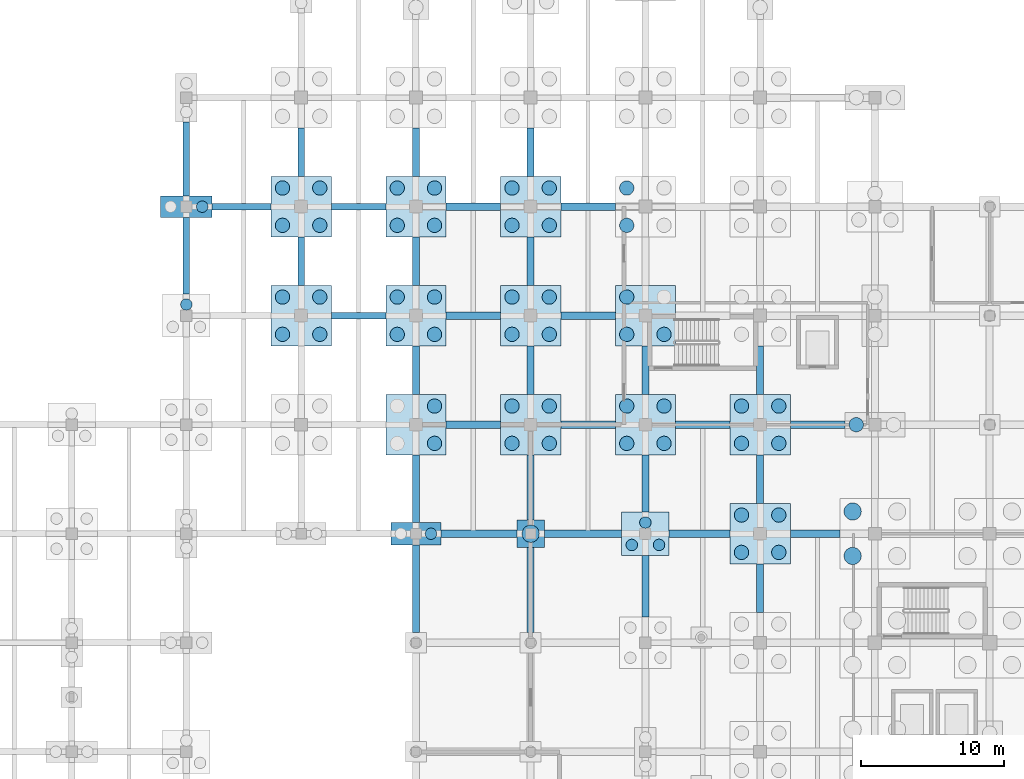
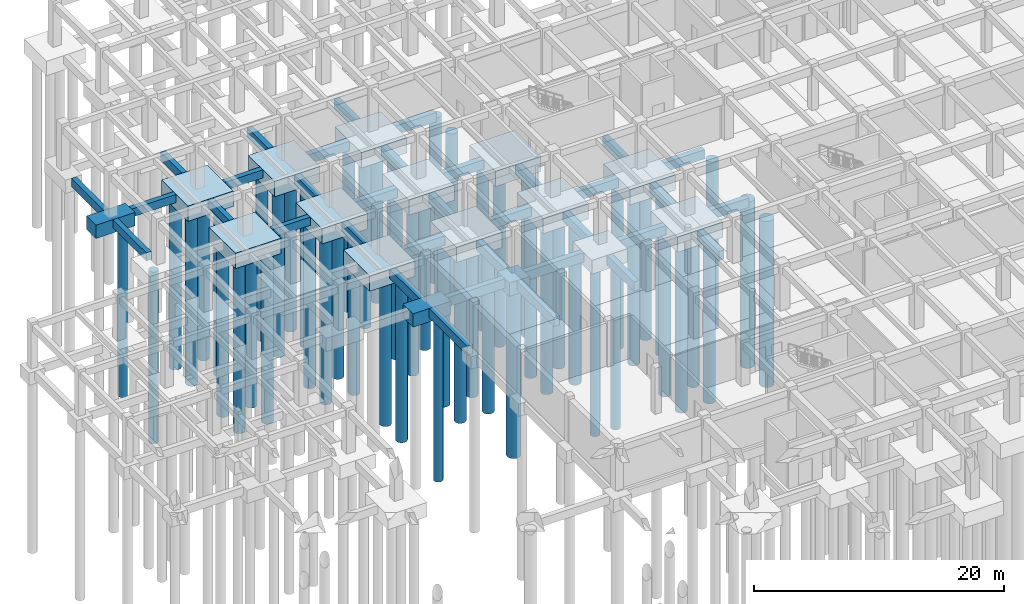
# One storey, part 8 of 49: 57 piles, 51 footings.
"""IFC4 building model written with IfcOpenShell, lengths in metres."""

from ifc_helpers import new_model, si_unit, direction, frame, origin, origin_2d, place, context, subcontext, project, spatial, rectangle, circle, extrude, material, layer, layer_set, material_profile, profile_set, type_object, element, save


model = new_model("IFC4")

# Units and contexts
model_context = context("Model", 3, precision=1e-05, world=origin(), true_north=direction((0.0, 1.0)))
body_context = subcontext(model_context, "Body", "Model", "MODEL_VIEW")
ifc_project = project(units=[si_unit("LENGTHUNIT", "METRE"), si_unit("AREAUNIT", "SQUARE_METRE"), si_unit("VOLUMEUNIT", "CUBIC_METRE"), si_unit("PLANEANGLEUNIT", "RADIAN"), si_unit("MASSUNIT", "GRAM", prefix="KILO")], contexts=[model_context])

# Site, building, storey
site_placement = place(None, origin())
site = spatial("IfcSite", under=ifc_project, at=site_placement, CompositionType="ELEMENT")
building_placement = place(site_placement, origin())
building = spatial("IfcBuilding", under=site, at=building_placement, Name="Zantavel Square City Hall", CompositionType="ELEMENT")
storey_placement = place(building_placement, frame((0.0, 0.0, -4.5)))
storey = spatial("IfcBuildingStorey", under=building, at=storey_placement, Name="B1", CompositionType="ELEMENT", Elevation=-4.5)

# Piles
ifc_material_1 = material(Name="Concrete C35/45", Category="concrete")
ifc_material_profile_1 = material_profile(ifc_material_1, circle(Radius=0.5, at=origin_2d()), Name="PILE D1000")
ifc_profile_set_1 = profile_set([ifc_material_profile_1], Name="Concrete C35/45")
pile_type_1 = type_object("IfcPileType", Name="Bored Pile D1000 Concrete C35/45", PredefinedType="BORED", material=ifc_profile_set_1)
for number, where, z_axis, x_axis, name in (
    (1, (22.699951171875, 82.300048828125, -1.39990234375), (0.0, 0.0, -1.0), (1.0, 0.0, 0.0), "Bored Pile FDN-PL-0240-0836-1"),
    (2, (25.300048828125, 82.300048828125, -1.39990234375), (0.0, 0.0, -1.0), (1.0, 0.0, 0.0), "Bored Pile FDN-PL-0240-0836-2"),
    (3, (22.699951171875, 84.89990234375, -1.39990234375), (0.0, 0.0, -1.0), (1.0, 0.0, 0.0), "Bored Pile FDN-PL-0240-0836-3"),
    (4, (25.300048828125, 84.89990234375, -1.39990234375), (0.0, 0.0, -1.0), (1.0, 0.0, 0.0), "Bored Pile FDN-PL-0240-0836-4"),
    (5, (22.699951171875, 89.89990234375, -1.39990234375), (0.0, 0.0, -1.0), (1.0, 0.0, 0.0), "Bored Pile FDN-PL-0240-0912-1"),
    (6, (25.300048828125, 89.89990234375, -1.39990234375), (0.0, 0.0, -1.0), (1.0, 0.0, 0.0), "Bored Pile FDN-PL-0240-0912-2"),
    (7, (22.699951171875, 92.5, -1.39990234375), (0.0, 0.0, -1.0), (1.0, 0.0, 0.0), "Bored Pile FDN-PL-0240-0912-3"),
    (8, (25.300048828125, 92.5, -1.39990234375), (0.0, 0.0, -1.0), (1.0, 0.0, 0.0), "Bored Pile FDN-PL-0240-0912-4"),
):
    element("IfcPile", number, at=place(storey_placement, frame(where, z_axis=z_axis, x_axis=x_axis)), inside=storey, type_object=pile_type_1, Name=name, PredefinedType="BORED", context=body_context, shape_type="SweptSolid", body=[
        extrude(circle(Radius=0.5, at=origin_2d()), origin(), (0.0, 0.0, 1.0), 16.60009765625),
    ])
for number, where, z_axis, x_axis, name in (
    (9, (33.300048828125, 74.699951171875, -1.800048828125), (0.0, 0.0, -1.0), (1.0, 0.0, 0.0), "Bored Pile FDN-PL-0320-0760-2"),
    (10, (33.300048828125, 77.300048828125, -1.800048828125), (0.0, 0.0, -1.0), (1.0, 0.0, 0.0), "Bored Pile FDN-PL-0320-0760-4"),
    (11, (30.699951171875, 82.300048828125, -1.800048828125), (0.0, 0.0, -1.0), (1.0, 0.0, 0.0), "Bored Pile FDN-PL-0320-0836-1"),
    (12, (33.300048828125, 82.300048828125, -1.800048828125), (0.0, 0.0, -1.0), (1.0, 0.0, 0.0), "Bored Pile FDN-PL-0320-0836-2"),
    (13, (30.699951171875, 84.89990234375, -1.800048828125), (0.0, 0.0, -1.0), (1.0, 0.0, 0.0), "Bored Pile FDN-PL-0320-0836-3"),
    (14, (33.300048828125, 84.89990234375, -1.800048828125), (0.0, 0.0, -1.0), (1.0, 0.0, 0.0), "Bored Pile FDN-PL-0320-0836-4"),
    (15, (30.699951171875, 89.89990234375, -1.800048828125), (0.0, 0.0, -1.0), (1.0, 0.0, 0.0), "Bored Pile FDN-PL-0320-0912-1"),
    (16, (33.300048828125, 89.89990234375, -1.800048828125), (0.0, 0.0, -1.0), (1.0, 0.0, 0.0), "Bored Pile FDN-PL-0320-0912-2"),
    (17, (30.699951171875, 92.5, -1.800048828125), (0.0, 0.0, -1.0), (1.0, 0.0, 0.0), "Bored Pile FDN-PL-0320-0912-3"),
    (18, (33.300048828125, 92.5, -1.800048828125), (0.0, 0.0, -1.0), (1.0, 0.0, 0.0), "Bored Pile FDN-PL-0320-0912-4"),
    (19, (38.699951171875, 74.699951171875, -1.800048828125), (0.0, 0.0, -1.0), (1.0, 0.0, 0.0), "Bored Pile FDN-PL-0400-0760-1"),
    (20, (41.300048828125, 74.699951171875, -1.800048828125), (0.0, 0.0, -1.0), (1.0, 0.0, 0.0), "Bored Pile FDN-PL-0400-0760-2"),
    (21, (38.699951171875, 77.300048828125, -1.800048828125), (0.0, 0.0, -1.0), (1.0, 0.0, 0.0), "Bored Pile FDN-PL-0400-0760-3"),
    (22, (41.300048828125, 77.300048828125, -1.800048828125), (0.0, 0.0, -1.0), (1.0, 0.0, 0.0), "Bored Pile FDN-PL-0400-0760-4"),
    (23, (38.699951171875, 82.300048828125, -1.800048828125), (0.0, 0.0, -1.0), (1.0, 0.0, 0.0), "Bored Pile FDN-PL-0400-0836-1"),
    (24, (41.300048828125, 82.300048828125, -1.800048828125), (0.0, 0.0, -1.0), (1.0, 0.0, 0.0), "Bored Pile FDN-PL-0400-0836-2"),
    (25, (38.699951171875, 84.89990234375, -1.800048828125), (0.0, 0.0, -1.0), (1.0, 0.0, 0.0), "Bored Pile FDN-PL-0400-0836-3"),
    (26, (41.300048828125, 84.89990234375, -1.800048828125), (0.0, 0.0, -1.0), (1.0, 0.0, 0.0), "Bored Pile FDN-PL-0400-0836-4"),
    (27, (38.699951171875, 89.89990234375, -1.800048828125), (0.0, 0.0, -1.0), (1.0, 0.0, 0.0), "Bored Pile FDN-PL-0400-0912-1"),
    (28, (41.300048828125, 89.89990234375, -1.800048828125), (0.0, 0.0, -1.0), (1.0, 0.0, 0.0), "Bored Pile FDN-PL-0400-0912-2"),
    (29, (38.699951171875, 92.5, -1.800048828125), (0.0, 0.0, -1.0), (1.0, 0.0, 0.0), "Bored Pile FDN-PL-0400-0912-3"),
    (30, (41.300048828125, 92.5, -1.800048828125), (0.0, 0.0, -1.0), (1.0, 0.0, 0.0), "Bored Pile FDN-PL-0400-0912-4"),
    (31, (46.699951171875, 74.699951171875, -1.800048828125), (0.0, 0.0, -1.0), (1.0, 0.0, 0.0), "Bored Pile FDN-PL-0480-0760-1"),
    (32, (49.300048828125, 74.699951171875, -1.800048828125), (0.0, 0.0, -1.0), (1.0, 0.0, 0.0), "Bored Pile FDN-PL-0480-0760-2"),
    (33, (46.699951171875, 77.300048828125, -1.800048828125), (0.0, 0.0, -1.0), (1.0, 0.0, 0.0), "Bored Pile FDN-PL-0480-0760-3"),
    (34, (49.300048828125, 77.300048828125, -1.800048828125), (0.0, 0.0, -1.0), (1.0, 0.0, 0.0), "Bored Pile FDN-PL-0480-0760-4"),
    (35, (46.699951171875, 82.300048828125, -1.800048828125), (0.0, 0.0, -1.0), (1.0, 0.0, 0.0), "Bored Pile FDN-PL-0480-0836-1"),
    (36, (49.300048828125, 82.300048828125, -1.800048828125), (0.0, 0.0, -1.0), (1.0, 0.0, 0.0), "Bored Pile FDN-PL-0480-0836-2"),
    (37, (46.699951171875, 84.89990234375, -1.800048828125), (0.0, 0.0, -1.0), (1.0, 0.0, 0.0), "Bored Pile FDN-PL-0480-0836-3"),
    (38, (46.699951171875, 89.89990234375, -1.800048828125), (0.0, 0.0, -1.0), (1.0, 0.0, 0.0), "Bored Pile FDN-PL-0480-0912-1"),
    (39, (46.699951171875, 92.5, -1.800048828125), (0.0, 0.0, -1.0), (1.0, 0.0, 0.0), "Bored Pile FDN-PL-0480-0912-3"),
    (40, (54.699951171875, 67.10009765625, -1.800048828125), (0.0, 0.0, -1.0), (1.0, 0.0, 0.0), "Bored Pile FDN-PL-0560-0684-1"),
    (41, (57.300048828125, 67.10009765625, -1.800048828125), (0.0, 0.0, -1.0), (1.0, 0.0, 0.0), "Bored Pile FDN-PL-0560-0684-2"),
    (42, (54.699951171875, 69.699951171875, -1.800048828125), (0.0, 0.0, -1.0), (1.0, 0.0, 0.0), "Bored Pile FDN-PL-0560-0684-3"),
    (43, (57.300048828125, 69.699951171875, -1.800048828125), (0.0, 0.0, -1.0), (1.0, 0.0, 0.0), "Bored Pile FDN-PL-0560-0684-4"),
    (44, (54.699951171875, 74.699951171875, -1.800048828125), (0.0, 0.0, -1.0), (1.0, 0.0, 0.0), "Bored Pile FDN-PL-0560-0760-1"),
    (45, (57.300048828125, 74.699951171875, -1.800048828125), (0.0, 0.0, -1.0), (1.0, 0.0, 0.0), "Bored Pile FDN-PL-0560-0760-2"),
    (46, (54.699951171875, 77.300048828125, -1.800048828125), (0.0, 0.0, -1.0), (1.0, 0.0, 0.0), "Bored Pile FDN-PL-0560-0760-3"),
    (47, (57.300048828125, 77.300048828125, -1.800048828125), (0.0, 0.0, -1.0), (1.0, 0.0, 0.0), "Bored Pile FDN-PL-0560-0760-4"),
):
    element("IfcPile", number, at=place(storey_placement, frame(where, z_axis=z_axis, x_axis=x_axis)), inside=storey, type_object=pile_type_1, Name=name, PredefinedType="BORED", context=body_context, shape_type="SweptSolid", body=[
        extrude(circle(Radius=0.5, at=origin_2d()), origin(), (0.0, 0.0, 1.0), 16.199951171875),
    ])
pile_1_placement = place(storey_placement, frame((62.699951171875, 76.0, -1.699951171875), z_axis=(0.0, 0.0, -1.0), x_axis=(1.0, 0.0, 0.0)))
element("IfcPile", 48, at=pile_1_placement, inside=storey, type_object=pile_type_1, Name="Bored Pile FDN-PL-0640-0760-1", PredefinedType="BORED", context=body_context, shape_type="SweptSolid", body=[
    extrude(circle(Radius=0.5, at=origin_2d()), origin(), (0.0, 0.0, 1.0), 16.300048828125),
])
ifc_material_profile_2 = material_profile(ifc_material_1, circle(Radius=0.60009765625, at=origin_2d()), Name="PILE D1200")
ifc_profile_set_2 = profile_set([ifc_material_profile_2], Name="Concrete C35/45")
pile_type_2 = type_object("IfcPileType", Name="Bored Pile D1200 Concrete C35/45", PredefinedType="BORED", material=ifc_profile_set_2)
pile_2_placement = place(storey_placement, frame((40.0, 68.39990234375, -1.60009765625), z_axis=(0.0, 0.0, -1.0), x_axis=(1.0, 0.0, 0.0)))
element("IfcPile", 49, at=pile_2_placement, inside=storey, type_object=pile_type_2, Name="Bored Pile FDN-PL-0400-0684-1", PredefinedType="BORED", context=body_context, shape_type="SweptSolid", body=[
    extrude(circle(Radius=0.60009765625, at=origin_2d()), origin(), (0.0, 0.0, 1.0), 16.39990234375),
])
for number, where, z_axis, x_axis, name in (
    (50, (62.449951171875, 66.85009765625, -1.800048828125), (0.0, 0.0, -1.0), (1.0, 0.0, 0.0), "Bored Pile FDN-PL-0640-0684-1"),
    (51, (62.449951171875, 69.949951171875, -1.800048828125), (0.0, 0.0, -1.0), (1.0, 0.0, 0.0), "Bored Pile FDN-PL-0640-0684-3"),
):
    element("IfcPile", number, at=place(storey_placement, frame(where, z_axis=z_axis, x_axis=x_axis)), inside=storey, type_object=pile_type_2, Name=name, PredefinedType="BORED", context=body_context, shape_type="SweptSolid", body=[
        extrude(circle(Radius=0.60009765625, at=origin_2d()), origin(), (0.0, 0.0, 1.0), 16.199951171875),
    ])
ifc_material_profile_3 = material_profile(ifc_material_1, circle(Radius=0.39990234375, at=origin_2d()), Name="PILE D800")
ifc_profile_set_3 = profile_set([ifc_material_profile_3], Name="Concrete C35/45")
pile_type_3 = type_object("IfcPileType", Name="Bored Pile D800 Concrete C35/45", PredefinedType="BORED", material=ifc_profile_set_3)
pile_3_placement = place(storey_placement, frame((16.0, 84.3798828125, -1.25), z_axis=(0.0, 0.0, -1.0), x_axis=(1.0, 0.0, 0.0)))
element("IfcPile", 52, at=pile_3_placement, inside=storey, type_object=pile_type_3, Name="Bored Pile FDN-PL-0160-0836-3", PredefinedType="BORED", context=body_context, shape_type="SweptSolid", body=[
    extrude(circle(Radius=0.39990234375, at=origin_2d()), origin(), (0.0, 0.0, 1.0), 16.75),
])
pile_4_placement = place(storey_placement, frame((17.10009765625, 91.199951171875, -1.199951171875), z_axis=(0.0, 0.0, -1.0), x_axis=(1.0, 0.0, 0.0)))
element("IfcPile", 53, at=pile_4_placement, inside=storey, type_object=pile_type_3, Name="Bored Pile FDN-PL-0160-0912-2", PredefinedType="BORED", context=body_context, shape_type="SweptSolid", body=[
    extrude(circle(Radius=0.39990234375, at=origin_2d()), origin(), (0.0, 0.0, 1.0), 16.800048828125),
])
pile_5_placement = place(storey_placement, frame((33.050048828125, 68.39990234375, -1.60009765625), z_axis=(0.0, 0.0, -1.0), x_axis=(1.0, 0.0, 0.0)))
element("IfcPile", 54, at=pile_5_placement, inside=storey, type_object=pile_type_3, Name="Bored Pile FDN-PL-0320-0684-2", PredefinedType="BORED", context=body_context, shape_type="SweptSolid", body=[
    extrude(circle(Radius=0.39990234375, at=origin_2d()), origin(), (0.0, 0.0, 1.0), 16.39990234375),
])
for number, where, z_axis, x_axis, name in (
    (55, (47.050048828125, 67.6201171875, -1.64990234375), (0.0, 0.0, -1.0), (1.0, 0.0, 0.0), "Bored Pile FDN-PL-0480-0684-1"),
    (56, (48.949951171875, 67.6201171875, -1.64990234375), (0.0, 0.0, -1.0), (1.0, 0.0, 0.0), "Bored Pile FDN-PL-0480-0684-2"),
    (57, (48.0, 69.179931640625, -1.64990234375), (0.0, 0.0, -1.0), (1.0, 0.0, 0.0), "Bored Pile FDN-PL-0480-0684-3"),
):
    element("IfcPile", number, at=place(storey_placement, frame(where, z_axis=z_axis, x_axis=x_axis)), inside=storey, type_object=pile_type_3, Name=name, PredefinedType="BORED", context=body_context, shape_type="SweptSolid", body=[
        extrude(circle(Radius=0.39990234375, at=origin_2d()), origin(), (0.0, 0.0, 1.0), 16.35009765625),
    ])

# Footings
ifc_material_profile_4 = material_profile(ifc_material_1, rectangle(XDim=0.449951171875, YDim=0.800048828125, at=origin_2d()), Name="RC 450x800")
ifc_profile_set_4 = profile_set([ifc_material_profile_4], Name="Concrete C35/45")
footing_type_1 = type_object("IfcFootingType", Name="Courtyard Grade Tie Beam 450x800 C35/45", PredefinedType="FOOTING_BEAM", material=ifc_profile_set_4)
footing_1_placement = place(storey_placement, frame((16.0, 85.10009765625, -0.39990234375), z_axis=(0.0, 1.0, 0.0), x_axis=(-1.0, 0.0, 0.0)))
element("IfcFooting", 58, at=footing_1_placement, inside=storey, type_object=footing_type_1, Name="Grade Tie Beam FDN-GTBY-0160-0836", PredefinedType="FOOTING_BEAM", context=body_context, shape_type="SweptSolid", body=[
    extrude(rectangle(XDim=0.449951171875, YDim=0.800048828125, at=origin_2d()), origin(), (0.0, 0.0, 1.0), 5.349853515625),
])
footing_2_placement = place(storey_placement, frame((17.800048828125, 91.199951171875, -0.39990234375), z_axis=(1.0, 0.0, 0.0), x_axis=(0.0, 1.0, 0.0)))
element("IfcFooting", 59, at=footing_2_placement, inside=storey, type_object=footing_type_1, Name="Grade Tie Beam FDN-GTBX-0160-0912", PredefinedType="FOOTING_BEAM", context=body_context, shape_type="SweptSolid", body=[
    extrude(rectangle(XDim=0.449951171875, YDim=0.800048828125, at=origin_2d()), origin(), (0.0, 0.0, 1.0), 4.099853515625),
])
footing_3_placement = place(storey_placement, frame((16.0, 91.949951171875, -0.39990234375), z_axis=(0.0, 1.0, 0.0), x_axis=(-1.0, 0.0, 0.0)))
element("IfcFooting", 60, at=footing_3_placement, inside=storey, type_object=footing_type_1, Name="Grade Tie Beam FDN-GTBY-0160-0912", PredefinedType="FOOTING_BEAM", context=body_context, shape_type="SweptSolid", body=[
    extrude(rectangle(XDim=0.449951171875, YDim=0.800048828125, at=origin_2d()), origin(), (0.0, 0.0, 1.0), 5.150146484375),
])
footing_4_placement = place(storey_placement, frame((26.10009765625, 83.60009765625, -0.800048828125), z_axis=(1.0, 0.0, 0.0), x_axis=(0.0, 1.0, 0.0)))
element("IfcFooting", 61, at=footing_4_placement, inside=storey, type_object=footing_type_1, Name="Grade Tie Beam FDN-GTBX-0240-0836", PredefinedType="FOOTING_BEAM", context=body_context, shape_type="SweptSolid", body=[
    extrude(rectangle(XDim=0.449951171875, YDim=0.800048828125, at=origin_2d()), origin(), (0.0, 0.0, 1.0), 3.7998046875),
])
footing_5_placement = place(storey_placement, frame((24.0, 85.699951171875, -0.39990234375), z_axis=(0.0, 1.0, 0.0), x_axis=(-1.0, 0.0, 0.0)))
element("IfcFooting", 62, at=footing_5_placement, inside=storey, type_object=footing_type_1, Name="Grade Tie Beam FDN-GTBY-0240-0836", PredefinedType="FOOTING_BEAM", context=body_context, shape_type="SweptSolid", body=[
    extrude(rectangle(XDim=0.449951171875, YDim=0.800048828125, at=origin_2d()), origin(), (0.0, 0.0, 1.0), 3.400146484375),
])
footing_6_placement = place(storey_placement, frame((26.10009765625, 91.199951171875, -0.800048828125), z_axis=(1.0, 0.0, 0.0), x_axis=(0.0, 1.0, 0.0)))
element("IfcFooting", 63, at=footing_6_placement, inside=storey, type_object=footing_type_1, Name="Grade Tie Beam FDN-GTBX-0240-0912", PredefinedType="FOOTING_BEAM", context=body_context, shape_type="SweptSolid", body=[
    extrude(rectangle(XDim=0.449951171875, YDim=0.800048828125, at=origin_2d()), origin(), (0.0, 0.0, 1.0), 3.7998046875),
])
footing_7_placement = place(storey_placement, frame((24.0, 93.300048828125, -0.39990234375), z_axis=(0.0, 1.0, 0.0), x_axis=(-1.0, 0.0, 0.0)))
element("IfcFooting", 64, at=footing_7_placement, inside=storey, type_object=footing_type_1, Name="Grade Tie Beam FDN-GTBY-0240-0912", PredefinedType="FOOTING_BEAM", context=body_context, shape_type="SweptSolid", body=[
    extrude(rectangle(XDim=0.449951171875, YDim=0.800048828125, at=origin_2d()), origin(), (0.0, 0.0, 1.0), 3.39990234375),
])
ifc_material_profile_5 = material_profile(ifc_material_1, rectangle(XDim=0.5, YDim=0.89990234375, at=origin_2d()), Name="RC 500x900")
ifc_profile_set_5 = profile_set([ifc_material_profile_5], Name="Concrete C35/45")
footing_type_2 = type_object("IfcFootingType", Name="Grade Tie Beam 500x900 Concrete C35/45", PredefinedType="FOOTING_BEAM", material=ifc_profile_set_5)
footing_8_placement = place(storey_placement, frame((32.0, 61.52490234375, -0.85009765625), z_axis=(0.0, 1.0, 0.0), x_axis=(-1.0, 0.0, 0.0)))
element("IfcFooting", 65, at=footing_8_placement, inside=storey, type_object=footing_type_2, Name="Grade Tie Beam FDN-GTBY-0320-0608", PredefinedType="FOOTING_BEAM", context=body_context, shape_type="SweptSolid", body=[
    extrude(rectangle(XDim=0.5, YDim=0.89990234375, at=origin_2d()), origin(), (0.0, 0.0, 1.0), 6.0751953125),
])
footing_9_placement = place(storey_placement, frame((33.75, 68.39990234375, -0.85009765625), z_axis=(1.0, 0.0, 0.0), x_axis=(0.0, 1.0, 0.0)))
element("IfcFooting", 66, at=footing_9_placement, inside=storey, type_object=footing_type_2, Name="Grade Tie Beam FDN-GTBX-0320-0684", PredefinedType="FOOTING_BEAM", context=body_context, shape_type="SweptSolid", body=[
    extrude(rectangle(XDim=0.5, YDim=0.89990234375, at=origin_2d()), origin(), (0.0, 0.0, 1.0), 5.300048828125),
])
footing_10_placement = place(storey_placement, frame((32.0, 69.199951171875, -0.85009765625), z_axis=(0.0, 1.0, 0.0), x_axis=(-1.0, 0.0, 0.0)))
element("IfcFooting", 67, at=footing_10_placement, inside=storey, type_object=footing_type_2, Name="Grade Tie Beam FDN-GTBY-0320-0684", PredefinedType="FOOTING_BEAM", context=body_context, shape_type="SweptSolid", body=[
    extrude(rectangle(XDim=0.5, YDim=0.89990234375, at=origin_2d()), origin(), (0.0, 0.0, 1.0), 4.699951171875),
])
footing_11_placement = place(storey_placement, frame((34.10009765625, 76.0, -0.85009765625), z_axis=(1.0, 0.0, 0.0), x_axis=(0.0, 1.0, 0.0)))
element("IfcFooting", 68, at=footing_11_placement, inside=storey, type_object=footing_type_2, Name="Grade Tie Beam FDN-GTBX-0320-0760", PredefinedType="FOOTING_BEAM", context=body_context, shape_type="SweptSolid", body=[
    extrude(rectangle(XDim=0.5, YDim=0.89990234375, at=origin_2d()), origin(), (0.0, 0.0, 1.0), 3.7998046875),
])
footing_12_placement = place(storey_placement, frame((32.0, 78.10009765625, -0.85009765625), z_axis=(0.0, 1.0, 0.0), x_axis=(-1.0, 0.0, 0.0)))
element("IfcFooting", 69, at=footing_12_placement, inside=storey, type_object=footing_type_2, Name="Grade Tie Beam FDN-GTBY-0320-0760", PredefinedType="FOOTING_BEAM", context=body_context, shape_type="SweptSolid", body=[
    extrude(rectangle(XDim=0.5, YDim=0.89990234375, at=origin_2d()), origin(), (0.0, 0.0, 1.0), 3.39990234375),
])
footing_13_placement = place(storey_placement, frame((34.10009765625, 83.60009765625, -0.85009765625), z_axis=(1.0, 0.0, 0.0), x_axis=(0.0, 1.0, 0.0)))
element("IfcFooting", 70, at=footing_13_placement, inside=storey, type_object=footing_type_2, Name="Grade Tie Beam FDN-GTBX-0320-0836", PredefinedType="FOOTING_BEAM", context=body_context, shape_type="SweptSolid", body=[
    extrude(rectangle(XDim=0.5, YDim=0.89990234375, at=origin_2d()), origin(), (0.0, 0.0, 1.0), 3.7998046875),
])
footing_14_placement = place(storey_placement, frame((32.0, 85.699951171875, -0.85009765625), z_axis=(0.0, 1.0, 0.0), x_axis=(-1.0, 0.0, 0.0)))
element("IfcFooting", 71, at=footing_14_placement, inside=storey, type_object=footing_type_2, Name="Grade Tie Beam FDN-GTBY-0320-0836", PredefinedType="FOOTING_BEAM", context=body_context, shape_type="SweptSolid", body=[
    extrude(rectangle(XDim=0.5, YDim=0.89990234375, at=origin_2d()), origin(), (0.0, 0.0, 1.0), 3.400146484375),
])
footing_15_placement = place(storey_placement, frame((34.10009765625, 91.199951171875, -0.85009765625), z_axis=(1.0, 0.0, 0.0), x_axis=(0.0, 1.0, 0.0)))
element("IfcFooting", 72, at=footing_15_placement, inside=storey, type_object=footing_type_2, Name="Grade Tie Beam FDN-GTBX-0320-0912", PredefinedType="FOOTING_BEAM", context=body_context, shape_type="SweptSolid", body=[
    extrude(rectangle(XDim=0.5, YDim=0.89990234375, at=origin_2d()), origin(), (0.0, 0.0, 1.0), 3.7998046875),
])
footing_16_placement = place(storey_placement, frame((32.0, 93.300048828125, -0.85009765625), z_axis=(0.0, 1.0, 0.0), x_axis=(-1.0, 0.0, 0.0)))
element("IfcFooting", 73, at=footing_16_placement, inside=storey, type_object=footing_type_2, Name="Grade Tie Beam FDN-GTBY-0320-0912", PredefinedType="FOOTING_BEAM", context=body_context, shape_type="SweptSolid", body=[
    extrude(rectangle(XDim=0.5, YDim=0.89990234375, at=origin_2d()), origin(), (0.0, 0.0, 1.0), 3.39990234375),
])
footing_17_placement = place(storey_placement, frame((40.0, 61.52490234375, -0.85009765625), z_axis=(0.0, 1.0, 0.0), x_axis=(-1.0, 0.0, 0.0)))
element("IfcFooting", 74, at=footing_17_placement, inside=storey, type_object=footing_type_2, Name="Grade Tie Beam FDN-GTBY-0400-0608", PredefinedType="FOOTING_BEAM", context=body_context, shape_type="SweptSolid", body=[
    extrude(rectangle(XDim=0.5, YDim=0.89990234375, at=origin_2d()), origin(), (0.0, 0.0, 1.0), 5.925048828125),
])
footing_18_placement = place(storey_placement, frame((40.949951171875, 68.39990234375, -0.85009765625), z_axis=(1.0, 0.0, 0.0), x_axis=(0.0, 1.0, 0.0)))
element("IfcFooting", 75, at=footing_18_placement, inside=storey, type_object=footing_type_2, Name="Grade Tie Beam FDN-GTBX-0400-0684", PredefinedType="FOOTING_BEAM", context=body_context, shape_type="SweptSolid", body=[
    extrude(rectangle(XDim=0.5, YDim=0.89990234375, at=origin_2d()), origin(), (0.0, 0.0, 1.0), 5.400146484375),
])
footing_19_placement = place(storey_placement, frame((40.0, 69.35009765625, -0.85009765625), z_axis=(0.0, 1.0, 0.0), x_axis=(-1.0, 0.0, 0.0)))
element("IfcFooting", 76, at=footing_19_placement, inside=storey, type_object=footing_type_2, Name="Grade Tie Beam FDN-GTBY-0400-0684", PredefinedType="FOOTING_BEAM", context=body_context, shape_type="SweptSolid", body=[
    extrude(rectangle(XDim=0.5, YDim=0.89990234375, at=origin_2d()), origin(), (0.0, 0.0, 1.0), 4.5498046875),
])
footing_20_placement = place(storey_placement, frame((42.10009765625, 76.0, -0.85009765625), z_axis=(1.0, 0.0, 0.0), x_axis=(0.0, 1.0, 0.0)))
element("IfcFooting", 77, at=footing_20_placement, inside=storey, type_object=footing_type_2, Name="Grade Tie Beam FDN-GTBX-0400-0760", PredefinedType="FOOTING_BEAM", context=body_context, shape_type="SweptSolid", body=[
    extrude(rectangle(XDim=0.5, YDim=0.89990234375, at=origin_2d()), origin(), (0.0, 0.0, 1.0), 3.7998046875),
])
footing_21_placement = place(storey_placement, frame((40.0, 78.10009765625, -0.85009765625), z_axis=(0.0, 1.0, 0.0), x_axis=(-1.0, 0.0, 0.0)))
element("IfcFooting", 78, at=footing_21_placement, inside=storey, type_object=footing_type_2, Name="Grade Tie Beam FDN-GTBY-0400-0760", PredefinedType="FOOTING_BEAM", context=body_context, shape_type="SweptSolid", body=[
    extrude(rectangle(XDim=0.5, YDim=0.89990234375, at=origin_2d()), origin(), (0.0, 0.0, 1.0), 3.39990234375),
])
footing_22_placement = place(storey_placement, frame((42.10009765625, 83.60009765625, -0.85009765625), z_axis=(1.0, 0.0, 0.0), x_axis=(0.0, 1.0, 0.0)))
element("IfcFooting", 79, at=footing_22_placement, inside=storey, type_object=footing_type_2, Name="Grade Tie Beam FDN-GTBX-0400-0836", PredefinedType="FOOTING_BEAM", context=body_context, shape_type="SweptSolid", body=[
    extrude(rectangle(XDim=0.5, YDim=0.89990234375, at=origin_2d()), origin(), (0.0, 0.0, 1.0), 3.7998046875),
])
footing_23_placement = place(storey_placement, frame((40.0, 85.699951171875, -0.85009765625), z_axis=(0.0, 1.0, 0.0), x_axis=(-1.0, 0.0, 0.0)))
element("IfcFooting", 80, at=footing_23_placement, inside=storey, type_object=footing_type_2, Name="Grade Tie Beam FDN-GTBY-0400-0836", PredefinedType="FOOTING_BEAM", context=body_context, shape_type="SweptSolid", body=[
    extrude(rectangle(XDim=0.5, YDim=0.89990234375, at=origin_2d()), origin(), (0.0, 0.0, 1.0), 3.400146484375),
])
footing_24_placement = place(storey_placement, frame((42.10009765625, 91.199951171875, -0.85009765625), z_axis=(1.0, 0.0, 0.0), x_axis=(0.0, 1.0, 0.0)))
element("IfcFooting", 81, at=footing_24_placement, inside=storey, type_object=footing_type_2, Name="Grade Tie Beam FDN-GTBX-0400-0912", PredefinedType="FOOTING_BEAM", context=body_context, shape_type="SweptSolid", body=[
    extrude(rectangle(XDim=0.5, YDim=0.89990234375, at=origin_2d()), origin(), (0.0, 0.0, 1.0), 3.7998046875),
])
footing_25_placement = place(storey_placement, frame((40.0, 93.300048828125, -0.85009765625), z_axis=(0.0, 1.0, 0.0), x_axis=(-1.0, 0.0, 0.0)))
element("IfcFooting", 82, at=footing_25_placement, inside=storey, type_object=footing_type_2, Name="Grade Tie Beam FDN-GTBY-0400-0912", PredefinedType="FOOTING_BEAM", context=body_context, shape_type="SweptSolid", body=[
    extrude(rectangle(XDim=0.5, YDim=0.89990234375, at=origin_2d()), origin(), (0.0, 0.0, 1.0), 3.39990234375),
])
footing_26_placement = place(storey_placement, frame((48.0, 62.60009765625, -0.85009765625), z_axis=(0.0, 1.0, 0.0), x_axis=(-1.0, 0.0, 0.0)))
element("IfcFooting", 83, at=footing_26_placement, inside=storey, type_object=footing_type_2, Name="Grade Tie Beam FDN-GTBY-0480-0608", PredefinedType="FOOTING_BEAM", context=body_context, shape_type="SweptSolid", body=[
    extrude(rectangle(XDim=0.5, YDim=0.89990234375, at=origin_2d()), origin(), (0.0, 0.0, 1.0), 4.2998046875),
])
footing_27_placement = place(storey_placement, frame((49.64990234375, 68.39990234375, -0.85009765625), z_axis=(1.0, 0.0, 0.0), x_axis=(0.0, 1.0, 0.0)))
element("IfcFooting", 84, at=footing_27_placement, inside=storey, type_object=footing_type_2, Name="Grade Tie Beam FDN-GTBX-0480-0684", PredefinedType="FOOTING_BEAM", context=body_context, shape_type="SweptSolid", body=[
    extrude(rectangle(XDim=0.5, YDim=0.89990234375, at=origin_2d()), origin(), (0.0, 0.0, 1.0), 4.25),
])
footing_28_placement = place(storey_placement, frame((48.0, 69.89990234375, -0.85009765625), z_axis=(0.0, 1.0, 0.0), x_axis=(-1.0, 0.0, 0.0)))
element("IfcFooting", 85, at=footing_28_placement, inside=storey, type_object=footing_type_2, Name="Grade Tie Beam FDN-GTBY-0480-0684", PredefinedType="FOOTING_BEAM", context=body_context, shape_type="SweptSolid", body=[
    extrude(rectangle(XDim=0.5, YDim=0.89990234375, at=origin_2d()), origin(), (0.0, 0.0, 1.0), 4.0),
])
footing_29_placement = place(storey_placement, frame((50.10009765625, 76.0, -0.85009765625), z_axis=(1.0, 0.0, 0.0), x_axis=(0.0, 1.0, 0.0)))
element("IfcFooting", 86, at=footing_29_placement, inside=storey, type_object=footing_type_2, Name="Grade Tie Beam FDN-GTBX-0480-0760", PredefinedType="FOOTING_BEAM", context=body_context, shape_type="SweptSolid", body=[
    extrude(rectangle(XDim=0.5, YDim=0.89990234375, at=origin_2d()), origin(), (0.0, 0.0, 1.0), 3.7998046875),
])
footing_30_placement = place(storey_placement, frame((48.0, 78.10009765625, -0.85009765625), z_axis=(0.0, 1.0, 0.0), x_axis=(-1.0, 0.0, 0.0)))
element("IfcFooting", 87, at=footing_30_placement, inside=storey, type_object=footing_type_2, Name="Grade Tie Beam FDN-GTBY-0480-0760", PredefinedType="FOOTING_BEAM", context=body_context, shape_type="SweptSolid", body=[
    extrude(rectangle(XDim=0.5, YDim=0.89990234375, at=origin_2d()), origin(), (0.0, 0.0, 1.0), 3.39990234375),
])
footing_31_placement = place(storey_placement, frame((56.0, 62.89990234375, -0.85009765625), z_axis=(0.0, 1.0, 0.0), x_axis=(-1.0, 0.0, 0.0)))
element("IfcFooting", 88, at=footing_31_placement, inside=storey, type_object=footing_type_2, Name="Grade Tie Beam FDN-GTBY-0560-0608", PredefinedType="FOOTING_BEAM", context=body_context, shape_type="SweptSolid", body=[
    extrude(rectangle(XDim=0.5, YDim=0.89990234375, at=origin_2d()), origin(), (0.0, 0.0, 1.0), 3.400146484375),
])
footing_32_placement = place(storey_placement, frame((58.10009765625, 68.39990234375, -0.85009765625), z_axis=(1.0, 0.0, 0.0), x_axis=(0.0, 1.0, 0.0)))
element("IfcFooting", 89, at=footing_32_placement, inside=storey, type_object=footing_type_2, Name="Grade Tie Beam FDN-GTBX-0560-0684", PredefinedType="FOOTING_BEAM", context=body_context, shape_type="SweptSolid", body=[
    extrude(rectangle(XDim=0.5, YDim=0.89990234375, at=origin_2d()), origin(), (0.0, 0.0, 1.0), 3.449951171875),
])
footing_33_placement = place(storey_placement, frame((56.0, 70.5, -0.85009765625), z_axis=(0.0, 1.0, 0.0), x_axis=(-1.0, 0.0, 0.0)))
element("IfcFooting", 90, at=footing_33_placement, inside=storey, type_object=footing_type_2, Name="Grade Tie Beam FDN-GTBY-0560-0684", PredefinedType="FOOTING_BEAM", context=body_context, shape_type="SweptSolid", body=[
    extrude(rectangle(XDim=0.5, YDim=0.89990234375, at=origin_2d()), origin(), (0.0, 0.0, 1.0), 3.39990234375),
])
footing_34_placement = place(storey_placement, frame((58.10009765625, 76.0, -0.85009765625), z_axis=(1.0, 0.0, 0.0), x_axis=(0.0, 1.0, 0.0)))
element("IfcFooting", 91, at=footing_34_placement, inside=storey, type_object=footing_type_2, Name="Grade Tie Beam FDN-GTBX-0560-0760", PredefinedType="FOOTING_BEAM", context=body_context, shape_type="SweptSolid", body=[
    extrude(rectangle(XDim=0.5, YDim=0.89990234375, at=origin_2d()), origin(), (0.0, 0.0, 1.0), 3.7998046875),
])
footing_35_placement = place(storey_placement, frame((56.0, 78.10009765625, -0.85009765625), z_axis=(0.0, 1.0, 0.0), x_axis=(-1.0, 0.0, 0.0)))
element("IfcFooting", 92, at=footing_35_placement, inside=storey, type_object=footing_type_2, Name="Grade Tie Beam FDN-GTBY-0560-0760", PredefinedType="FOOTING_BEAM", context=body_context, shape_type="SweptSolid", body=[
    extrude(rectangle(XDim=0.5, YDim=0.89990234375, at=origin_2d()), origin(), (0.0, 0.0, 1.0), 3.39990234375),
])
ifc_material_2 = material(Name="Concrete C40/50", Category="concrete")
ifc_layer_1 = layer(ifc_material_2, 1.300048828125, Name="Concrete C40/50")
ifc_layer_set_1 = layer_set([ifc_layer_1], Name="Concrete C40/50")
footing_type_3 = type_object("IfcFootingType", Name="Pile Cap 1P-D1200 1900x1900x1300", PredefinedType="PILE_CAP", material=ifc_layer_set_1)
footing_36_placement = place(storey_placement, frame((40.0, 68.39990234375, -1.7001953125), z_axis=(0.0, 0.0, 1.0), x_axis=(1.0, 0.0, 0.0)))
element("IfcFooting", 93, at=footing_36_placement, inside=storey, type_object=footing_type_3, Name="Pile Cap FDN-PC-0400-0684", PredefinedType="PILE_CAP", context=body_context, shape_type="SweptSolid", body=[
    extrude(rectangle(XDim=1.89990234375, YDim=1.89990234375, at=origin_2d()), origin(), (0.0, 0.0, 1.0), 1.300048828125),
])
ifc_layer_2 = layer(ifc_material_2, 1.300048828125, Name="Concrete C40/50")
ifc_layer_set_2 = layer_set([ifc_layer_2], Name="Concrete C40/50")
footing_type_4 = type_object("IfcFootingType", Name="Pile Cap 2P-D800C 3500x1600x1300", PredefinedType="PILE_CAP", material=ifc_layer_set_2)
footing_37_placement = place(storey_placement, frame((32.0, 68.39990234375, -1.7001953125), z_axis=(0.0, 0.0, 1.0), x_axis=(1.0, 0.0, 0.0)))
element("IfcFooting", 94, at=footing_37_placement, inside=storey, type_object=footing_type_4, Name="Pile Cap FDN-PC-0320-0684", PredefinedType="PILE_CAP", context=body_context, shape_type="SweptSolid", body=[
    extrude(rectangle(XDim=3.5, YDim=1.60009765625, at=origin_2d()), origin(), (0.0, 0.0, 1.0), 1.300048828125),
])
ifc_layer_3 = layer(ifc_material_2, 1.300048828125, Name="Concrete C40/50")
ifc_layer_set_3 = layer_set([ifc_layer_3], Name="Concrete C40/50")
footing_type_5 = type_object("IfcFootingType", Name="Pile Cap 2P-D800X 3600x1500x1300", PredefinedType="PILE_CAP", material=ifc_layer_set_3)
footing_38_placement = place(storey_placement, frame((16.0, 91.199951171875, -1.2998046875), z_axis=(0.0, 0.0, 1.0), x_axis=(1.0, 0.0, 0.0)))
element("IfcFooting", 95, at=footing_38_placement, inside=storey, type_object=footing_type_5, Name="Pile Cap FDN-PC-0160-0912", PredefinedType="PILE_CAP", context=body_context, shape_type="SweptSolid", body=[
    extrude(rectangle(XDim=3.60009765625, YDim=1.5, at=origin_2d()), origin(), (0.0, 0.0, 1.0), 1.300048828125),
])
ifc_layer_4 = layer(ifc_material_2, 1.35009765625, Name="Concrete C40/50")
ifc_layer_set_4 = layer_set([ifc_layer_4], Name="Concrete C40/50")
footing_type_6 = type_object("IfcFootingType", Name="Pile Cap 3P-D800 3300x3000x1350", PredefinedType="PILE_CAP", material=ifc_layer_set_4)
footing_39_placement = place(storey_placement, frame((48.0, 68.39990234375, -1.75), z_axis=(0.0, 0.0, 1.0), x_axis=(1.0, 0.0, 0.0)))
element("IfcFooting", 96, at=footing_39_placement, inside=storey, type_object=footing_type_6, Name="Pile Cap FDN-PC-0480-0684", PredefinedType="PILE_CAP", context=body_context, shape_type="SweptSolid", body=[
    extrude(rectangle(XDim=3.300048828125, YDim=3.0, at=origin_2d()), origin(), (0.0, 0.0, 1.0), 1.35009765625),
])
ifc_layer_5 = layer(ifc_material_2, 1.5, Name="Concrete C40/50")
ifc_layer_set_5 = layer_set([ifc_layer_5], Name="Concrete C40/50")
footing_type_7 = type_object("IfcFootingType", Name="Pile Cap 4P-D1000 4200x4200x1500", PredefinedType="PILE_CAP", material=ifc_layer_set_5)
for number, where, z_axis, x_axis, name in (
    (97, (24.0, 83.60009765625, -1.5), (0.0, 0.0, 1.0), (1.0, 0.0, 0.0), "Pile Cap FDN-PC-0240-0836"),
    (98, (24.0, 91.199951171875, -1.5), (0.0, 0.0, 1.0), (1.0, 0.0, 0.0), "Pile Cap FDN-PC-0240-0912"),
    (99, (32.0, 76.0, -1.89990234375), (0.0, 0.0, 1.0), (1.0, 0.0, 0.0), "Pile Cap FDN-PC-0320-0760"),
    (100, (32.0, 83.60009765625, -1.89990234375), (0.0, 0.0, 1.0), (1.0, 0.0, 0.0), "Pile Cap FDN-PC-0320-0836"),
    (101, (32.0, 91.199951171875, -1.89990234375), (0.0, 0.0, 1.0), (1.0, 0.0, 0.0), "Pile Cap FDN-PC-0320-0912"),
    (102, (40.0, 76.0, -1.89990234375), (0.0, 0.0, 1.0), (1.0, 0.0, 0.0), "Pile Cap FDN-PC-0400-0760"),
    (103, (40.0, 83.60009765625, -1.89990234375), (0.0, 0.0, 1.0), (1.0, 0.0, 0.0), "Pile Cap FDN-PC-0400-0836"),
    (104, (40.0, 91.199951171875, -1.89990234375), (0.0, 0.0, 1.0), (1.0, 0.0, 0.0), "Pile Cap FDN-PC-0400-0912"),
    (105, (48.0, 76.0, -1.89990234375), (0.0, 0.0, 1.0), (1.0, 0.0, 0.0), "Pile Cap FDN-PC-0480-0760"),
    (106, (48.0, 83.60009765625, -1.89990234375), (0.0, 0.0, 1.0), (1.0, 0.0, 0.0), "Pile Cap FDN-PC-0480-0836"),
    (107, (56.0, 68.39990234375, -1.89990234375), (0.0, 0.0, 1.0), (1.0, 0.0, 0.0), "Pile Cap FDN-PC-0560-0684"),
    (108, (56.0, 76.0, -1.89990234375), (0.0, 0.0, 1.0), (1.0, 0.0, 0.0), "Pile Cap FDN-PC-0560-0760"),
):
    element("IfcFooting", number, at=place(storey_placement, frame(where, z_axis=z_axis, x_axis=x_axis)), inside=storey, type_object=footing_type_7, Name=name, PredefinedType="PILE_CAP", context=body_context, shape_type="SweptSolid", body=[
        extrude(rectangle(XDim=4.199951171875, YDim=4.199951171875, at=origin_2d()), origin(), (0.0, 0.0, 1.0), 1.5),
    ])

save(model, "model.ifc")
